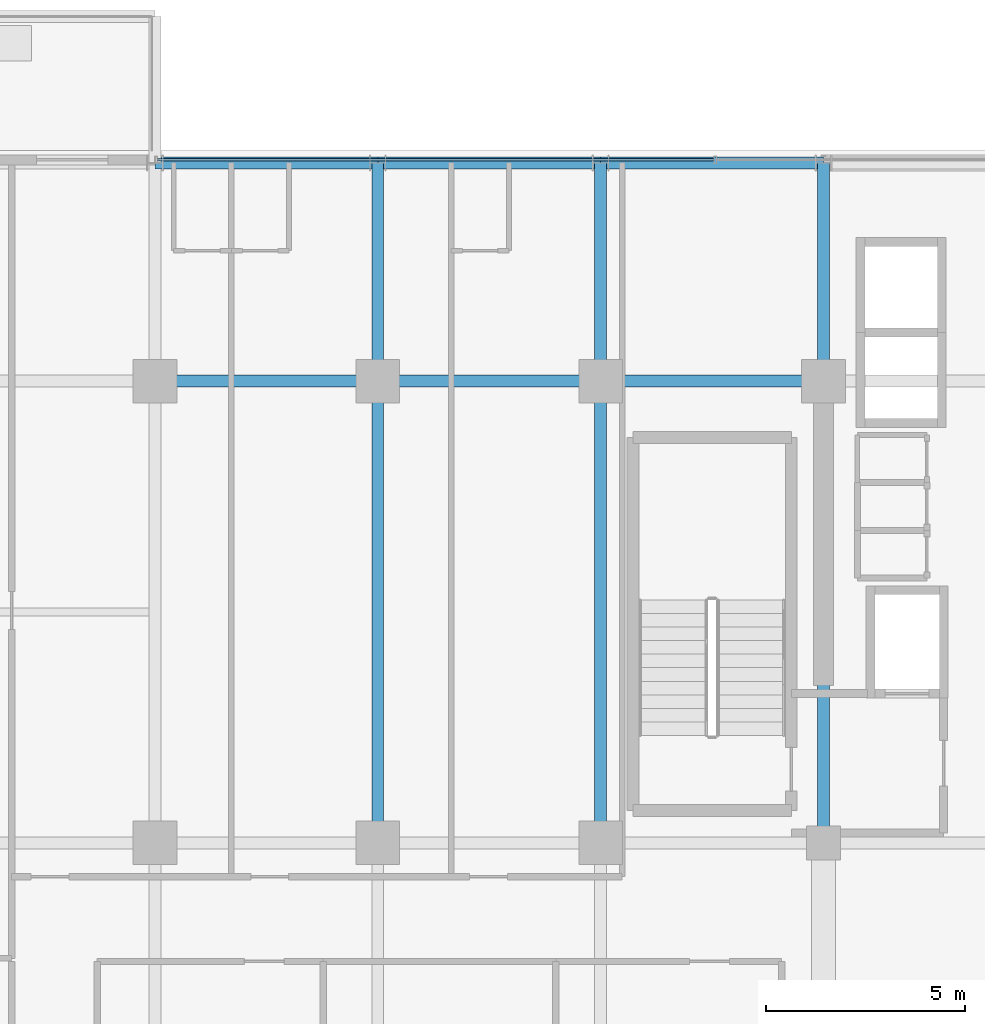
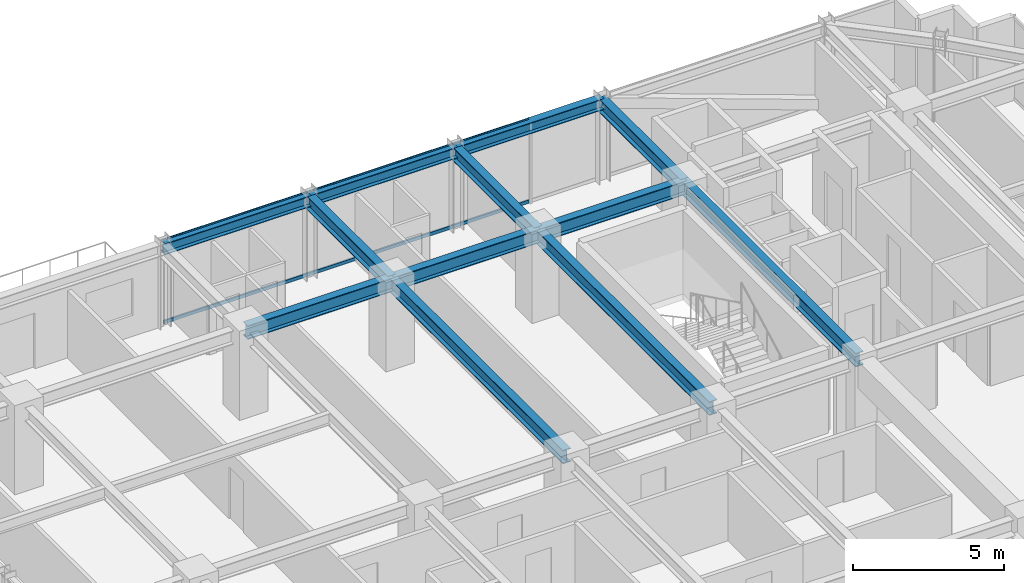
# One storey, part 17 of 29: 12 beams, 2 members, 1 element without a shape of its own.
"""IFC4 building model written with IfcOpenShell, lengths in metres."""

from ifc_helpers import new_model, si_unit, direction, frame, origin, origin_2d, place, context, subcontext, project, spatial, hollow_rectangle, i_section, extrude, source, transform, mapped, material, material_profile, profile_set, type_object, element, aggregate, save


model = new_model("IFC4")

# Units and contexts
model_context = context("Model", 3, precision=1e-05, world=origin(), true_north=direction((0.0, 1.0)))
body_context = subcontext(model_context, "Body", "Model", "MODEL_VIEW")
ifc_project = project(units=[si_unit("LENGTHUNIT", "METRE"), si_unit("AREAUNIT", "SQUARE_METRE"), si_unit("VOLUMEUNIT", "CUBIC_METRE"), si_unit("PLANEANGLEUNIT", "RADIAN"), si_unit("MASSUNIT", "GRAM", prefix="KILO")], contexts=[model_context])

# Site, building, storey
site_placement = place(None, origin())
site = spatial("IfcSite", under=ifc_project, at=site_placement, CompositionType="ELEMENT")
building_placement = place(site_placement, origin())
building = spatial("IfcBuilding", under=site, at=building_placement, Name="Nahalor Promenade Grand Hotel", CompositionType="ELEMENT")
storey_placement = place(building_placement, frame((0.0, 0.0, 189.14990234375)))
storey = spatial("IfcBuildingStorey", under=building, at=storey_placement, Name="L48", CompositionType="ELEMENT", Elevation=189.14990234375)

# Beams
ifc_material_1 = material(Name="Steel S355JR", Category="steel")
ifc_material_profile_1 = material_profile(ifc_material_1, i_section(OverallWidth=0.3, OverallDepth=0.55, WebThickness=0.015, FlangeThickness=0.029, at=origin_2d()), Name="HEB 550")
ifc_profile_set_1 = profile_set([ifc_material_profile_1], Name="Steel S355JR")
beam_type_1 = type_object("IfcBeamType", Name="Beam-Girder-HEB550", PredefinedType="BEAM", material=ifc_profile_set_1)
shared_shape_1 = source(origin(), body_context, "Body", "SweptSolid", [
    extrude(i_section(OverallWidth=0.3, OverallDepth=0.55, WebThickness=0.015, FlangeThickness=0.029, at=origin_2d()), origin(), (0.0, 0.0, 1.0), 5.599853515625),
])
for number, where, z_axis, x_axis, name in (
    (1, (-8.39990234375, 17.0, 3.114990234375), (1.0, 0.0, 0.0), (0.0, 1.0, 0.0), "BM-L48-GX-3-2"),
    (2, (2.800048828125, 17.0, 3.114990234375), (1.0, 0.0, 0.0), (0.0, 1.0, 0.0), "BM-L48-GX-3-4"),
):
    element("IfcBeam", number, at=place(storey_placement, frame(where, z_axis=z_axis, x_axis=x_axis)), inside=storey, type_object=beam_type_1, Name=name, PredefinedType="BEAM", context=body_context, shape_type="MappedRepresentation", body=[
        mapped(shared_shape_1, transform((0.0, 0.0, 0.0), scale=1.0)),
    ])
shared_shape_2 = source(origin(), body_context, "Body", "SweptSolid", [
    extrude(i_section(OverallWidth=0.3, OverallDepth=0.55, WebThickness=0.015, FlangeThickness=0.029, at=origin_2d()), origin(), (0.0, 0.0, 1.0), 5.60009765625),
])
beam_1_placement = place(storey_placement, frame((-2.800048828125, 17.0, 3.114990234375), z_axis=(1.0, 0.0, 0.0), x_axis=(0.0, 1.0, 0.0)))
element("IfcBeam", 3, at=beam_1_placement, inside=storey, type_object=beam_type_1, Name="BM-L48-GX-3-3", PredefinedType="BEAM", context=body_context, shape_type="MappedRepresentation", body=[
    mapped(shared_shape_2, transform((0.0, 0.0, 0.0), scale=1.0)),
])
shared_shape_3 = source(origin(), body_context, "Body", "SweptSolid", [
    extrude(i_section(OverallWidth=0.3, OverallDepth=0.55, WebThickness=0.015, FlangeThickness=0.029, at=origin_2d()), origin(), (0.0, 0.0, 1.0), 11.60009765625),
])
for number, where, z_axis, x_axis, name in (
    (4, (-2.800048828125, 5.39990234375, 3.114990234375), (0.0, 1.0, 0.0), (-1.0, 0.0, 0.0), "BM-L48-GY-2-3"),
    (5, (2.800048828125, 5.39990234375, 3.114990234375), (0.0, 1.0, 0.0), (-1.0, 0.0, 0.0), "BM-L48-GY-3-3"),
    (6, (8.39990234375, 5.39990234375, 3.114990234375), (0.0, 1.0, 0.0), (-1.0, 0.0, 0.0), "BM-L48-GY-4-3"),
):
    element("IfcBeam", number, at=place(storey_placement, frame(where, z_axis=z_axis, x_axis=x_axis)), inside=storey, type_object=beam_type_1, Name=name, PredefinedType="BEAM", context=body_context, shape_type="MappedRepresentation", body=[
        mapped(shared_shape_3, transform((0.0, 0.0, 0.0), scale=1.0)),
    ])
shared_shape_4 = source(origin(), body_context, "Body", "SweptSolid", [
    extrude(i_section(OverallWidth=0.3, OverallDepth=0.55, WebThickness=0.015, FlangeThickness=0.029, at=origin_2d()), origin(), (0.0, 0.0, 1.0), 5.47998046875),
])
for number, where, z_axis, x_axis, name in (
    (7, (-2.800048828125, 17.0, 3.114990234375), (0.0, 1.0, 0.0), (-1.0, 0.0, 0.0), "BM-L48-GY-2-4"),
    (8, (2.800048828125, 17.0, 3.114990234375), (0.0, 1.0, 0.0), (-1.0, 0.0, 0.0), "BM-L48-GY-3-4"),
    (9, (8.39990234375, 17.0, 3.114990234375), (0.0, 1.0, 0.0), (-1.0, 0.0, 0.0), "BM-L48-GY-4-4"),
):
    element("IfcBeam", number, at=place(storey_placement, frame(where, z_axis=z_axis, x_axis=x_axis)), inside=storey, type_object=beam_type_1, Name=name, PredefinedType="BEAM", context=body_context, shape_type="MappedRepresentation", body=[
        mapped(shared_shape_4, transform((0.0, 0.0, 0.0), scale=1.0)),
    ])
ifc_material_profile_2 = material_profile(ifc_material_1, i_section(OverallWidth=0.3, OverallDepth=0.45, WebThickness=0.014, FlangeThickness=0.026, at=origin_2d()), Name="HEB 450")
ifc_profile_set_2 = profile_set([ifc_material_profile_2], Name="Steel S355JR")
beam_type_2 = type_object("IfcBeamType", Name="Beam-Spandrel-HEB450", PredefinedType="SPANDREL", material=ifc_profile_set_2)
shared_shape_5 = source(origin(), body_context, "Body", "SweptSolid", [
    extrude(i_section(OverallWidth=0.3, OverallDepth=0.45, WebThickness=0.014, FlangeThickness=0.026, at=origin_2d()), origin(), (0.0, 0.0, 1.0), 5.599853515625),
])
for number, where, z_axis, x_axis, name in (
    (10, (-8.39990234375, 22.47998046875, 3.1650390625), (1.0, 0.0, 0.0), (0.0, 1.0, 0.0), "BM-L48-SP-N-1"),
    (11, (2.800048828125, 22.47998046875, 3.1650390625), (1.0, 0.0, 0.0), (0.0, 1.0, 0.0), "BM-L48-SP-N-3"),
):
    element("IfcBeam", number, at=place(storey_placement, frame(where, z_axis=z_axis, x_axis=x_axis)), inside=storey, type_object=beam_type_2, Name=name, PredefinedType="SPANDREL", context=body_context, shape_type="MappedRepresentation", body=[
        mapped(shared_shape_5, transform((0.0, 0.0, 0.0), scale=1.0)),
    ])
shared_shape_6 = source(origin(), body_context, "Body", "SweptSolid", [
    extrude(i_section(OverallWidth=0.3, OverallDepth=0.45, WebThickness=0.014, FlangeThickness=0.026, at=origin_2d()), origin(), (0.0, 0.0, 1.0), 5.60009765625),
])
beam_2_placement = place(storey_placement, frame((-2.800048828125, 22.47998046875, 3.1650390625), z_axis=(1.0, 0.0, 0.0), x_axis=(0.0, 1.0, 0.0)))
element("IfcBeam", 12, at=beam_2_placement, inside=storey, type_object=beam_type_2, Name="BM-L48-SP-N-2", PredefinedType="SPANDREL", context=body_context, shape_type="MappedRepresentation", body=[
    mapped(shared_shape_6, transform((0.0, 0.0, 0.0), scale=1.0)),
])

# Curtain wall, members
ifc_material_2 = material(Name="Anodised Bronze Aluminium EN AW-6063 T6", Category="aluminium")
curtain_wall_type = type_object("IfcCurtainWallType", Name="CW2 Typical Hotel Flush Bronze Unitised Curtain Wall", PredefinedType="USERDEFINED", material=ifc_material_2)
curtain_wall_placement = place(storey_placement, origin())
curtain_wall = element("IfcCurtainWall", 13, at=curtain_wall_placement, inside=storey, type_object=curtain_wall_type, Name="L48 Curtain Wall CW-L48-N-3", ObjectType="UNITISED_CURTAIN_WALL", PredefinedType="USERDEFINED")
ifc_material_profile_3 = material_profile(ifc_material_2, hollow_rectangle(XDim=0.065, YDim=0.13, WallThickness=0.004, at=origin_2d()), Name="CWT 65x130x4")
ifc_profile_set_3 = profile_set([ifc_material_profile_3], Name="Anodised Bronze Aluminium EN AW-6063 T6")
member_type = type_object("IfcMemberType", Name="CWT2 Typical Bronze Transom 65x130", PredefinedType="USERDEFINED", material=ifc_profile_set_3)
shared_shape_7 = source(origin(), body_context, "Body", "SweptSolid", [
    extrude(hollow_rectangle(XDim=0.065, YDim=0.13, WallThickness=0.004, at=origin_2d()), origin(), (0.0, 0.0, 1.0), 13.982421875),
])
member_1_placement = place(storey_placement, frame((-8.3349609375, 22.56005859375, 0.065185546875), z_axis=(1.0, 0.0, 0.0), x_axis=(0.0, 1.0, 0.0)))
member_1 = element("IfcMember", 14, at=member_1_placement, type_object=member_type, Name="CW-L48-N-3 Transom 0-0", ObjectType="TRANSOM", PredefinedType="USERDEFINED", context=body_context, shape_type="MappedRepresentation", body=[
    mapped(shared_shape_7, transform((0.0, 0.0, 0.0), scale=1.0)),
])
member_2_placement = place(storey_placement, frame((-8.3349609375, 22.56005859375, 3.3251953125), z_axis=(1.0, 0.0, 0.0), x_axis=(0.0, 1.0, 0.0)))
member_2 = element("IfcMember", 15, at=member_2_placement, type_object=member_type, Name="CW-L48-N-3 Transom 0-1", ObjectType="TRANSOM", PredefinedType="USERDEFINED", context=body_context, shape_type="MappedRepresentation", body=[
    mapped(shared_shape_7, transform((0.0, 0.0, 0.0), scale=1.0)),
])
aggregate(curtain_wall, [member_1, member_2])

save(model, "model.ifc")
